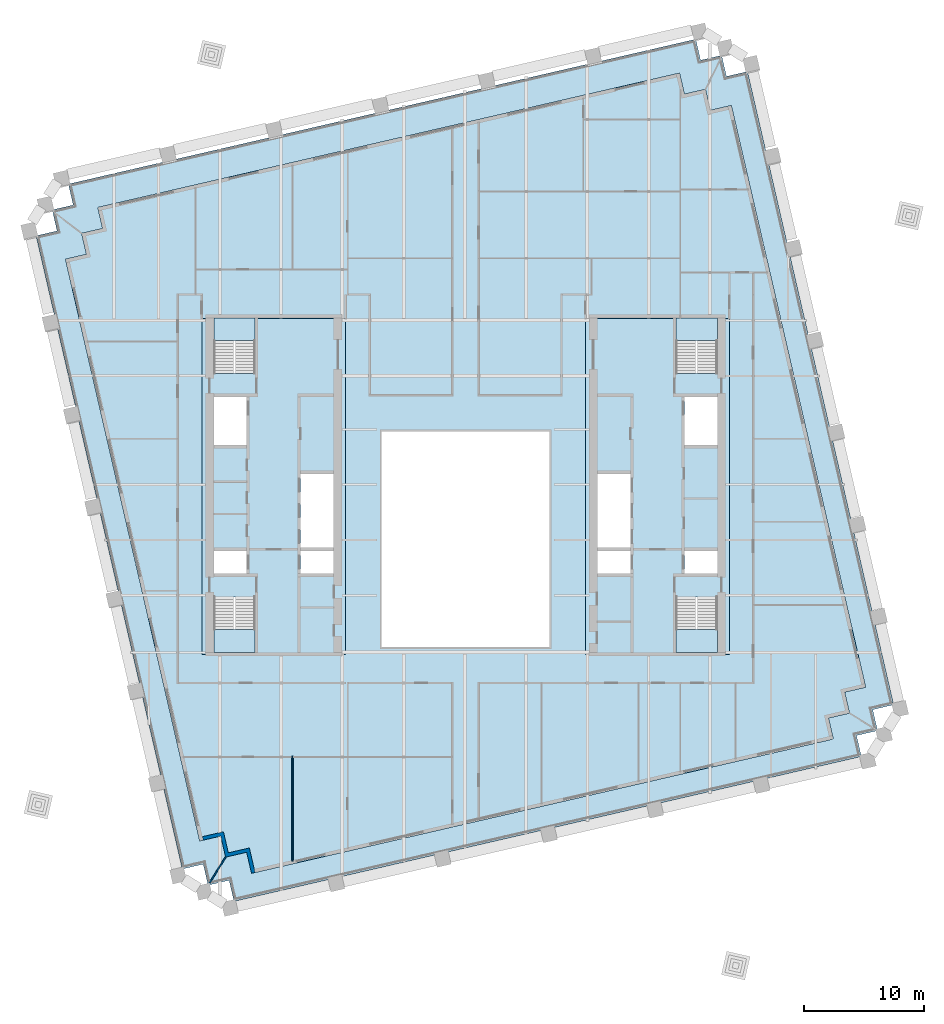
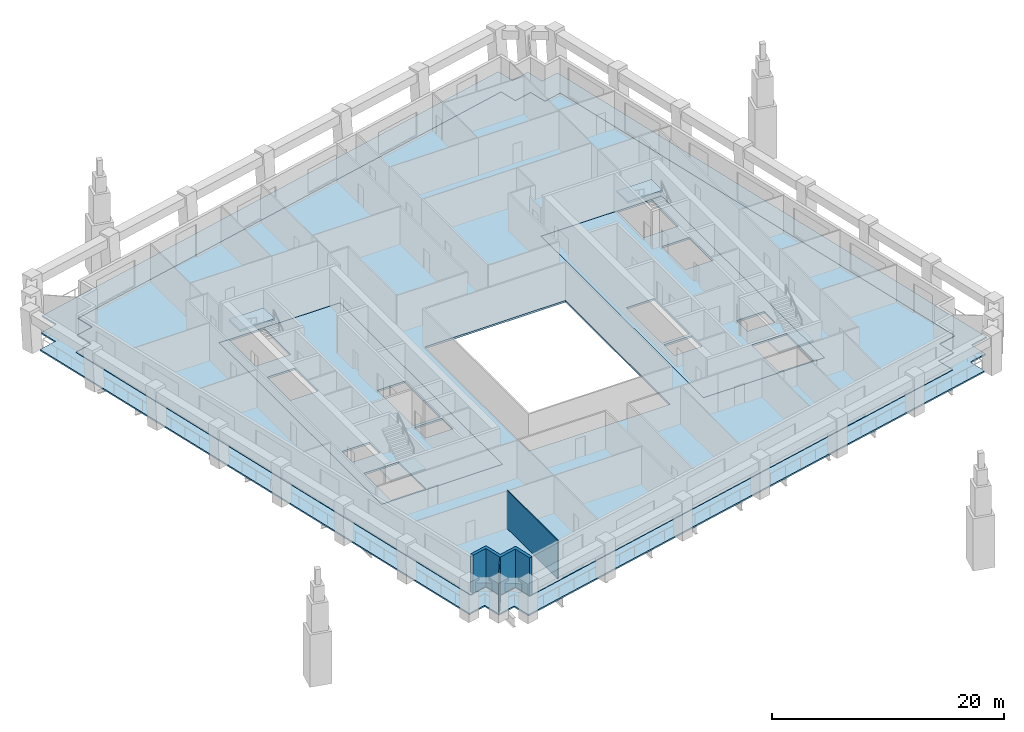
# One storey, part 3 of 10: 8 slabs, 3 walls, 4 elements without a shape of their own.
"""IFC4 building model written with IfcOpenShell, lengths in metres."""

from ifc_helpers import new_model, si_unit, direction, frame, frame_2d, origin, place, context, subcontext, project, spatial, polyline, rectangle, outline, extrude, material, layer, layer_set, type_object, element, aggregate, save


model = new_model("IFC4")

# Units and contexts
model_context = context("Model", 3, precision=1e-05, world=origin(), true_north=direction((0.0, 1.0)))
body_context = subcontext(model_context, "Body", "Model", "MODEL_VIEW")
ifc_project = project(units=[si_unit("LENGTHUNIT", "METRE"), si_unit("AREAUNIT", "SQUARE_METRE"), si_unit("VOLUMEUNIT", "CUBIC_METRE"), si_unit("PLANEANGLEUNIT", "RADIAN"), si_unit("MASSUNIT", "GRAM", prefix="KILO")], contexts=[model_context])

# Site, building, storey
site_placement = place(None, origin())
site = spatial("IfcSite", under=ifc_project, at=site_placement, CompositionType="ELEMENT")
building_placement = place(site_placement, origin())
building = spatial("IfcBuilding", under=site, at=building_placement, Name="Ogive Exchange Tower", CompositionType="ELEMENT")
storey_placement = place(building_placement, frame((0.0, 0.0, 171.60009765625)))
storey = spatial("IfcBuildingStorey", under=building, at=storey_placement, Name="L37", CompositionType="ELEMENT", Elevation=171.60009765625)

# Slabs
ifc_material_1 = material(Name="Concrete C50/60", Category="concrete")
ifc_layer_1 = layer(ifc_material_1, 0.199951171875)
ifc_layer_set_1 = layer_set([ifc_layer_1], Name="Composite floor slab 200")
slab_type_1 = type_object("IfcSlabType", Name="Composite floor slab 200", PredefinedType="FLOOR", material=ifc_layer_set_1)
slab_1_placement = place(storey_placement, frame((0.0, 0.0, -0.2001953125)))
element("IfcSlab", 1, at=slab_1_placement, inside=storey, type_object=slab_type_1, Name="Composite floor slab", PredefinedType="FLOOR", context=body_context, shape_type="SweptSolid", body=[
    extrude(outline(polyline([(-18.255615234375, -19.116943359375), (-20.009521484375, -19.52197265625), (-20.414306640625, -17.76806640625), (-22.168212890625, -18.1728515625), (-33.370849609375, 30.3505859375), (-31.616943359375, 30.755615234375), (-32.02197265625, 32.509521484375), (-30.26806640625, 32.914306640625), (-30.6728515625, 34.668212890625), (17.8505859375, 45.870849609375), (18.255615234375, 44.116943359375), (20.009521484375, 44.52197265625), (20.414306640625, 42.76806640625), (22.168212890625, 43.1728515625), (33.370849609375, -5.3505859375), (31.616943359375, -5.755615234375), (32.02197265625, -7.509521484375), (30.26806640625, -7.914306640625), (30.6728515625, -9.668212890625), (-17.8505859375, -20.870849609375), (-18.255615234375, -19.116943359375)]), holes=[polyline([(7.0, -2.0), (7.0, 16.0), (-7.0, 16.0), (-7.0, -2.0), (7.0, -2.0)]), polyline([(-22.0, -2.60009765625), (-10.0, -2.60009765625), (-10.0, 25.39990234375), (-22.0, 25.39990234375), (-22.0, -2.60009765625)]), polyline([(10.0, -2.60009765625), (22.0, -2.60009765625), (22.0, 25.39990234375), (10.0, 25.39990234375), (10.0, -2.60009765625)])]), origin(), (0.0, 0.0, 1.0), 0.2001953125),
])
ifc_material_2 = material(Name="Concrete C70/85", Category="concrete")
ifc_layer_2 = layer(ifc_material_2, 0.199951171875)
ifc_layer_set_2 = layer_set([ifc_layer_2], Name="Core floor slab 200")
slab_type_2 = type_object("IfcSlabType", Name="Core floor slab 200", PredefinedType="FLOOR", material=ifc_layer_set_2)
slab_2_placement = place(storey_placement, frame((0.0, 0.0, -0.2001953125)))
element("IfcSlab", 2, at=slab_2_placement, inside=storey, type_object=slab_type_2, Name="Core floor slab", PredefinedType="FLOOR", context=body_context, shape_type="SweptSolid", body=[
    extrude(outline(polyline([(-10.0, 25.39990234375), (-10.0, -2.60009765625), (-22.0, -2.60009765625), (-22.0, 25.39990234375), (-21.0, 25.39990234375), (-21.0, 20.803955078125), (-17.550048828125, 20.803955078125), (-17.550048828125, 25.39990234375), (-10.0, 25.39990234375)]), holes=[polyline([(-17.550048828125, 2.196044921875), (-21.0, 2.196044921875), (-21.0, -2.449951171875), (-17.550048828125, -2.449951171875), (-17.550048828125, 2.196044921875)]), polyline([(-18.25, 5.992919921875), (-21.0, 5.992919921875), (-21.0, 4.14990234375), (-18.25, 4.14990234375), (-18.25, 5.992919921875)]), polyline([(-11.0, 5.992919921875), (-13.75, 5.992919921875), (-13.75, 4.14990234375), (-11.0, 4.14990234375), (-11.0, 5.992919921875)]), polyline([(-13.75, 12.42138671875), (-13.75, 6.29296875), (-11.0, 6.29296875), (-11.0, 12.42138671875), (-13.75, 12.42138671875)]), polyline([(-18.25, 18.85009765625), (-21.0, 18.85009765625), (-21.0, 14.8642578125), (-18.25, 14.8642578125), (-18.25, 18.85009765625)])]), origin(), (0.0, 0.0, 1.0), 0.2001953125),
])
slab_3_placement = place(storey_placement, frame((0.0, 0.0, -0.2001953125)))
element("IfcSlab", 3, at=slab_3_placement, inside=storey, type_object=slab_type_2, Name="Core floor slab", PredefinedType="FLOOR", context=body_context, shape_type="SweptSolid", body=[
    extrude(outline(polyline([(22.0, 25.39990234375), (22.0, -2.60009765625), (10.0, -2.60009765625), (10.0, 25.39990234375), (17.550048828125, 25.39990234375), (17.550048828125, 20.803955078125), (21.0, 20.803955078125), (21.0, 25.39990234375), (22.0, 25.39990234375)]), holes=[polyline([(21.0, 2.196044921875), (17.550048828125, 2.196044921875), (17.550048828125, -2.449951171875), (21.0, -2.449951171875), (21.0, 2.196044921875)]), polyline([(13.75, 5.992919921875), (11.0, 5.992919921875), (11.0, 4.14990234375), (13.75, 4.14990234375), (13.75, 5.992919921875)]), polyline([(21.0, 5.992919921875), (18.25, 5.992919921875), (18.25, 4.14990234375), (21.0, 4.14990234375), (21.0, 5.992919921875)]), polyline([(11.0, 12.42138671875), (11.0, 6.29296875), (13.75, 6.29296875), (13.75, 12.42138671875), (11.0, 12.42138671875)]), polyline([(21.0, 18.85009765625), (18.25, 18.85009765625), (18.25, 14.8642578125), (21.0, 14.8642578125), (21.0, 18.85009765625)])]), origin(), (0.0, 0.0, 1.0), 0.2001953125),
])
ifc_layer_3 = layer(ifc_material_1, 0.14990234375)
ifc_layer_set_3 = layer_set([ifc_layer_3], Name="Loggia deck 150")
slab_type_3 = type_object("IfcSlabType", Name="Loggia deck 150", PredefinedType="FLOOR", material=ifc_layer_set_3)
slab_4_placement = place(storey_placement, frame((0.0, 0.0, -0.2001953125)))
element("IfcSlab", 4, at=slab_4_placement, inside=storey, type_object=slab_type_3, Name="Loggia deck", PredefinedType="FLOOR", context=body_context, shape_type="SweptSolid", body=[
    extrude(outline(polyline([(-19.717041015625, -21.45556640625), (-21.470947265625, -21.860595703125), (-21.875732421875, -20.106689453125), (-23.629638671875, -20.51171875), (-35.822998046875, 32.303466796875), (-34.069091796875, 32.708251953125), (-34.47412109375, 34.462158203125), (-32.72021484375, 34.866943359375), (-33.125, 36.620849609375), (19.19873046875, 48.70068359375), (19.603515625, 46.947021484375), (21.357421875, 47.351806640625), (21.76220703125, 45.597900390625), (23.51611328125, 46.0029296875), (35.70947265625, -6.81201171875), (33.95556640625, -7.217041015625), (34.360595703125, -8.970947265625), (32.606689453125, -9.375732421875), (33.01171875, -11.129638671875), (-19.31201171875, -23.20947265625), (-19.717041015625, -21.45556640625)]), holes=[polyline([(30.26806640625, -7.914306640625), (32.02197265625, -7.509521484375), (31.616943359375, -5.755615234375), (33.370849609375, -5.3505859375), (22.168212890625, 43.1728515625), (20.414306640625, 42.76806640625), (20.009521484375, 44.52197265625), (18.255615234375, 44.116943359375), (17.8505859375, 45.870849609375), (-30.6728515625, 34.668212890625), (-30.26806640625, 32.914306640625), (-32.02197265625, 32.509521484375), (-31.616943359375, 30.755615234375), (-33.370849609375, 30.3505859375), (-22.168212890625, -18.1728515625), (-20.414306640625, -17.76806640625), (-20.009521484375, -19.52197265625), (-18.255615234375, -19.116943359375), (-17.8505859375, -20.870849609375), (30.6728515625, -9.668212890625), (30.26806640625, -7.914306640625)])]), origin(), (0.0, 0.0, 1.0), 0.150146484375),
])

# Stair, slab
ifc_material_3 = material(Name="Concrete C40/50", Category="concrete")
stair_type = type_object("IfcStairType", Name="Exit stair 1650 wide", PredefinedType="HALF_TURN_STAIR", material=ifc_material_3)
stair_1_placement = place(storey_placement, origin())
stair_1 = element("IfcStair", 5, at=stair_1_placement, inside=storey, type_object=stair_type, Name="L37 exit stair ST1", PredefinedType="HALF_TURN_STAIR")
ifc_layer_4 = layer(ifc_material_3, 0.199951171875)
ifc_layer_set_4 = layer_set([ifc_layer_4], Name="Stair landing 200 slab")
slab_type_4 = type_object("IfcSlabType", Name="Stair landing 200 slab", PredefinedType="LANDING", material=ifc_layer_set_4)
slab_5_placement = place(storey_placement, frame((0.0, 0.0, 1.89990234375)))
slab_5 = element("IfcSlab", 6, at=slab_5_placement, type_object=slab_type_4, Name="ST1 landing 1", PredefinedType="LANDING", context=body_context, shape_type="SweptSolid", body=[
    extrude(outline(polyline([(-21.0, -0.550048828125), (-21.0, -2.449951171875), (-17.550048828125, -2.449951171875), (-17.550048828125, -0.550048828125), (-21.0, -0.550048828125)])), origin(), (0.0, 0.0, 1.0), 0.199951171875),
])
aggregate(stair_1, [slab_5])

stair_2_placement = place(storey_placement, origin())
stair_2 = element("IfcStair", 7, at=stair_2_placement, inside=storey, type_object=stair_type, Name="L37 exit stair ST2", PredefinedType="HALF_TURN_STAIR")
slab_6_placement = place(storey_placement, frame((0.0, 0.0, 1.89990234375)))
slab_6 = element("IfcSlab", 8, at=slab_6_placement, type_object=slab_type_4, Name="ST2 landing 1", PredefinedType="LANDING", context=body_context, shape_type="SweptSolid", body=[
    extrude(outline(polyline([(-17.550048828125, 23.550048828125), (-17.550048828125, 25.449951171875), (-21.0, 25.449951171875), (-21.0, 23.550048828125), (-17.550048828125, 23.550048828125)])), origin(), (0.0, 0.0, 1.0), 0.199951171875),
])
aggregate(stair_2, [slab_6])

stair_3_placement = place(storey_placement, origin())
stair_3 = element("IfcStair", 9, at=stair_3_placement, inside=storey, type_object=stair_type, Name="L37 exit stair ST3", PredefinedType="HALF_TURN_STAIR")
slab_7_placement = place(storey_placement, frame((0.0, 0.0, 1.89990234375)))
slab_7 = element("IfcSlab", 10, at=slab_7_placement, type_object=slab_type_4, Name="ST3 landing 1", PredefinedType="LANDING", context=body_context, shape_type="SweptSolid", body=[
    extrude(outline(polyline([(17.550048828125, -0.550048828125), (17.550048828125, -2.449951171875), (21.0, -2.449951171875), (21.0, -0.550048828125), (17.550048828125, -0.550048828125)])), origin(), (0.0, 0.0, 1.0), 0.199951171875),
])
aggregate(stair_3, [slab_7])

stair_4_placement = place(storey_placement, origin())
stair_4 = element("IfcStair", 11, at=stair_4_placement, inside=storey, type_object=stair_type, Name="L37 exit stair ST4", PredefinedType="HALF_TURN_STAIR")
slab_8_placement = place(storey_placement, frame((0.0, 0.0, 1.89990234375)))
slab_8 = element("IfcSlab", 12, at=slab_8_placement, type_object=slab_type_4, Name="ST4 landing 1", PredefinedType="LANDING", context=body_context, shape_type="SweptSolid", body=[
    extrude(outline(polyline([(21.0, 23.550048828125), (21.0, 25.449951171875), (17.550048828125, 25.449951171875), (17.550048828125, 23.550048828125), (21.0, 23.550048828125)])), origin(), (0.0, 0.0, 1.0), 0.199951171875),
])
aggregate(stair_4, [slab_8])

# Walls
ifc_material_4 = material(Name="Precast concrete C40/50", Category="concrete")
ifc_layer_5 = layer(ifc_material_4, 0.300048828125)
ifc_layer_set_5 = layer_set([ifc_layer_5], Name="Limestone-faced wall 300")
wall_type_1 = type_object("IfcWallType", Name="Limestone-faced wall 300", PredefinedType="STANDARD", material=ifc_layer_set_5)
wall_1_placement = place(storey_placement, origin())
element("IfcWall", 13, at=wall_1_placement, inside=storey, type_object=wall_type_1, Name="External corner wall C4", PredefinedType="STANDARD", context=body_context, shape_type="SweptSolid", body=[
    extrude(outline(polyline([(-18.255615234375, -19.116943359375), (-20.009521484375, -19.52197265625), (-20.414306640625, -17.76806640625), (-21.8759765625, -18.10546875), (-21.943359375, -17.81298828125), (-20.189697265625, -17.408203125), (-19.78466796875, -19.162109375), (-18.03076171875, -18.757080078125), (-17.558349609375, -20.80322265625), (-17.8505859375, -20.870849609375), (-18.255615234375, -19.116943359375)])), origin(), (0.0, 0.0, 1.0), 4.0),
])
ifc_material_5 = material(Name="Laminated safety glass in steel frame", Category="steel")
ifc_layer_6 = layer(ifc_material_5, 0.10009765625)
ifc_layer_set_6 = layer_set([ifc_layer_6], Name="Loggia end screen 100")
wall_type_2 = type_object("IfcWallType", Name="Loggia end screen 100", PredefinedType="STANDARD", material=ifc_layer_set_6)
wall_2_placement = place(storey_placement, frame((-20.009521484375, -19.52197265625, -0.050048828125), z_axis=(0.0, 0.0, 1.0), x_axis=(-0.529920736377, -0.848047176257, 0.0)))
element("IfcWall", 14, at=wall_2_placement, inside=storey, type_object=wall_type_2, Name="Loggia end screen C4", PredefinedType="STANDARD", context=body_context, shape_type="SweptSolid", body=[
    extrude(rectangle(XDim=2.525634765625, YDim=0.10009765625, at=frame_2d((1.2626953125, 0.0))), origin(), (0.0, 0.0, 1.0), 4.050048828125),
])
ifc_material_6 = material(Name="Partition 100 gypsum")
ifc_layer_7 = layer(ifc_material_6, 0.10009765625)
ifc_layer_set_7 = layer_set([ifc_layer_7], Name="Partition 100 gypsum")
wall_type_3 = type_object("IfcWallType", Name="Partition 100 gypsum", PredefinedType="PARTITIONING", material=ifc_layer_set_7)
wall_3_placement = place(storey_placement, frame((-14.429931640625, -19.85595703125, 0.0), z_axis=(0.0, 0.0, 1.0), x_axis=(0.0, 1.0, 0.0)))
element("IfcWall", 15, at=wall_3_placement, inside=storey, type_object=wall_type_3, Name="L37-PWL-014", PredefinedType="PARTITIONING", context=body_context, shape_type="SweptSolid", body=[
    extrude(rectangle(XDim=8.73583984375, YDim=0.10009765625, at=frame_2d((4.367919921875, 0.0))), origin(), (0.0, 0.0, 1.0), 4.0),
])

save(model, "model.ifc")
